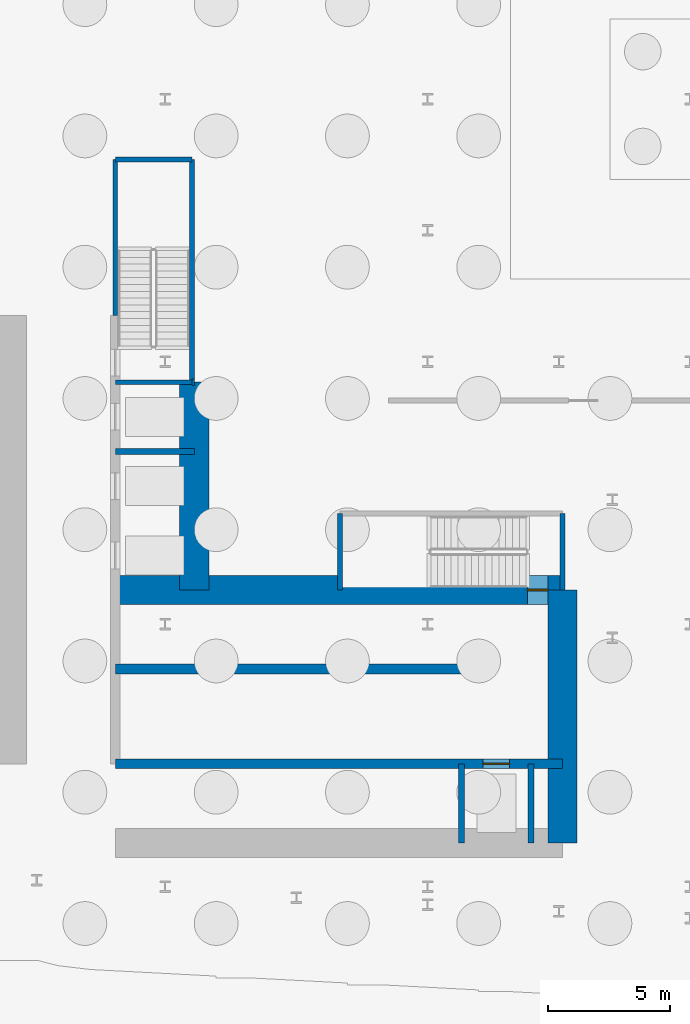
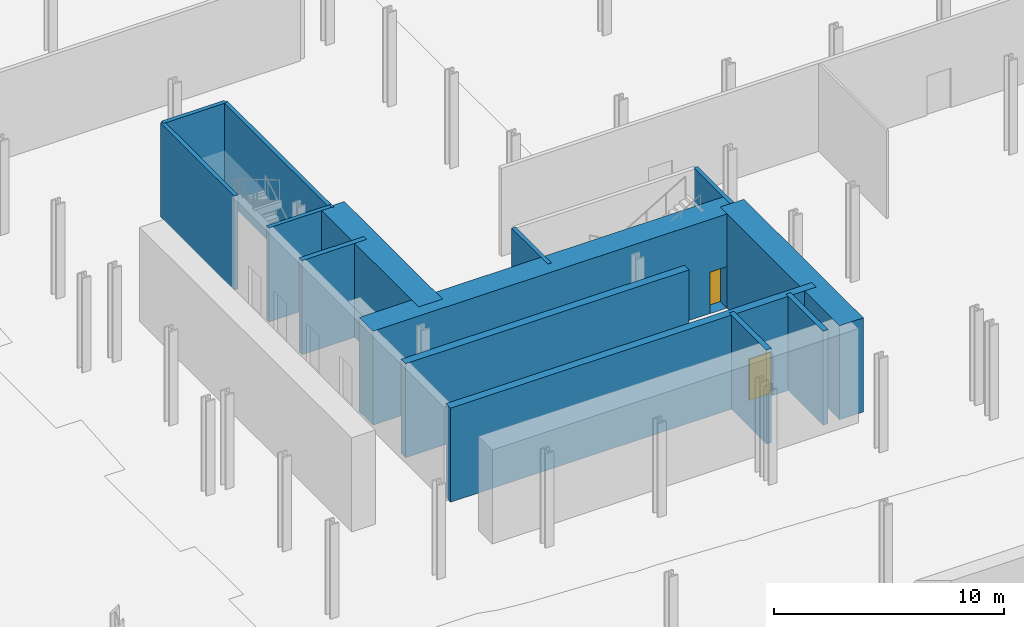
# One storey, part 11 of 23: 15 walls, 2 doors, 2 openings.
"""IFC4 building model written with IfcOpenShell, lengths in metres."""

from ifc_helpers import new_model, si_unit, direction, frame, frame_2d, origin, place, context, subcontext, project, spatial, rectangle, extrude, source, transform, mapped, material, layer, layer_set, type_object, element, fill, save


model = new_model("IFC4")

# Units and contexts
model_context = context("Model", 3, precision=1e-05, world=origin(), true_north=direction((0.0, 1.0)))
body_context = subcontext(model_context, "Body", "Model", "MODEL_VIEW")
ifc_project = project(units=[si_unit("LENGTHUNIT", "METRE"), si_unit("AREAUNIT", "SQUARE_METRE"), si_unit("VOLUMEUNIT", "CUBIC_METRE"), si_unit("PLANEANGLEUNIT", "RADIAN"), si_unit("MASSUNIT", "GRAM", prefix="KILO")], contexts=[model_context])

# Site, building, storey
site_placement = place(None, origin())
site = spatial("IfcSite", under=ifc_project, at=site_placement, CompositionType="ELEMENT")
building_placement = place(site_placement, origin())
building = spatial("IfcBuilding", under=site, at=building_placement, Name="Kheshtan School and Residences Tower", CompositionType="ELEMENT")
storey_placement = place(building_placement, frame((0.0, 0.0, -15.0)))
storey = spatial("IfcBuildingStorey", under=building, at=storey_placement, Name="B3", CompositionType="ELEMENT", Elevation=-15.0)

# Wall, opening, door
ifc_material_1 = material(Name="Concrete C80/95", Category="concrete")
ifc_layer_1 = layer(ifc_material_1, 1.199951171875)
ifc_layer_set_1 = layer_set([ifc_layer_1], Name="Core wall 1200 Concrete C80/95")
wall_type_1 = type_object("IfcWallType", Name="Core wall 1200 Concrete C80/95", PredefinedType="SHEAR", material=ifc_layer_set_1)
wall_1_placement = place(storey_placement, frame((34.75, 36.199951171875, 0.0), z_axis=(0.0, 0.0, 1.0), x_axis=(1.0, 0.0, 0.0)))
wall_1 = element("IfcWall", 1, at=wall_1_placement, inside=storey, type_object=wall_type_1, Name="Core wall CW-FRONT-S", PredefinedType="SHEAR", context=body_context, shape_type="SweptSolid", body=[
    extrude(rectangle(XDim=18.39990234375, YDim=1.199951171875, at=frame_2d((9.199951171875, 0.0))), origin(), (0.0, 0.0, 1.0), 5.0),
])
opening_1_placement = place(wall_1_placement, frame((16.955078125, 0.0, 0.0)))
opening_1 = element("IfcOpeningElement", 2, at=opening_1_placement, cuts=wall_1, Name="Opening ST1B", PredefinedType="OPENING", context=body_context, shape_type="SweptSolid", body=[
    extrude(rectangle(XDim=0.843017578125, YDim=2.199951171875, at=frame_2d((0.42138671875, 1.10009765625))), frame((0.0, 0.60986328125, 0.0), z_axis=(0.0, -1.0, 0.0), x_axis=(1.0, 0.0, 0.0)), (0.0, 0.0, 1.0), 1.219970703125),
])
ifc_material_2 = material(Name="Steel door leaf, galvanised", Category="steel")
door_type_1 = type_object("IfcDoorType", Name="Stair door 1100 steel 90 min", OperationType="SINGLE_SWING_LEFT", PredefinedType="DOOR", material=ifc_material_2)
shared_shape_1 = source(origin(), body_context, "Body", "SweptSolid", [
    extrude(rectangle(XDim=0.843017578125, YDim=2.199951171875, at=frame_2d((0.42138671875, 1.10009765625))), frame((0.0, 0.02490234375, 0.0), z_axis=(0.0, -1.0, 0.0), x_axis=(1.0, 0.0, 0.0)), (0.0, 0.0, 1.0), 0.050048828125),
])
door_1_placement = place(opening_1_placement, origin())
door_1 = element("IfcDoor", 3, at=door_1_placement, inside=storey, type_object=door_type_1, Name="Stair ST1 door", OperationType="SINGLE_SWING_RIGHT", OverallHeight=2.199951171875, OverallWidth=0.843017578125, PredefinedType="DOOR", context=body_context, shape_type="MappedRepresentation", body=[
    mapped(shared_shape_1, transform((0.0, 0.0, 0.0), x_axis=(1.0, 0.0, 0.0), y_axis=(0.0, 1.0, 0.0), z_axis=(0.0, 0.0, 1.0), scale=1.0)),
])
fill(opening_1, door_1)

# Walls
wall_2_placement = place(storey_placement, frame((38.0, 36.199951171875, 0.0), z_axis=(0.0, 0.0, 1.0), x_axis=(0.0, 1.0, 0.0)))
element("IfcWall", 4, at=wall_2_placement, inside=storey, type_object=wall_type_1, Name="Core wall CW-FRONT-W", PredefinedType="SHEAR", context=body_context, shape_type="SweptSolid", body=[
    extrude(rectangle(XDim=8.550048828125, YDim=1.199951171875, at=frame_2d((4.27490234375, 0.0))), origin(), (0.0, 0.0, 1.0), 5.0),
])
wall_3_placement = place(storey_placement, frame((53.14990234375, 25.800048828125, 0.0), z_axis=(0.0, 0.0, 1.0), x_axis=(0.0, 1.0, 0.0)))
element("IfcWall", 5, at=wall_3_placement, inside=storey, type_object=wall_type_1, Name="Core wall CW-EAST", PredefinedType="SHEAR", context=body_context, shape_type="SweptSolid", body=[
    extrude(rectangle(XDim=10.39990234375, YDim=1.199951171875, at=frame_2d((5.199951171875, 0.0))), origin(), (0.0, 0.0, 1.0), 5.0),
])

# Wall, opening, door
ifc_material_3 = material(Name="Concrete C50/60", Category="concrete")
ifc_layer_2 = layer(ifc_material_3, 0.39990234375)
ifc_layer_set_2 = layer_set([ifc_layer_2], Name="Core wall 400 Concrete C50/60")
wall_type_2 = type_object("IfcWallType", Name="Core wall 400 Concrete C50/60", PredefinedType="SHEAR", material=ifc_layer_set_2)
wall_4_placement = place(storey_placement, frame((34.75, 29.050048828125, 0.0), z_axis=(0.0, 0.0, 1.0), x_axis=(1.0, 0.0, 0.0)))
wall_4 = element("IfcWall", 6, at=wall_4_placement, inside=storey, type_object=wall_type_2, Name="Core wall CW-HALL-S1", PredefinedType="SHEAR", context=body_context, shape_type="SweptSolid", body=[
    extrude(rectangle(XDim=18.39990234375, YDim=0.39990234375, at=frame_2d((9.199951171875, 0.0))), origin(), (0.0, 0.0, 1.0), 5.0),
])
opening_2_placement = place(wall_4_placement, frame((15.125, 0.0, 0.0)))
opening_2 = element("IfcOpeningElement", 7, at=opening_2_placement, cuts=wall_4, Name="Opening LD", PredefinedType="OPENING", context=body_context, shape_type="SweptSolid", body=[
    extrude(rectangle(XDim=1.10009765625, YDim=2.199951171875, at=frame_2d((0.550048828125, 1.10009765625))), frame((0.0, 0.2099609375, 0.0), z_axis=(0.0, -1.0, 0.0), x_axis=(1.0, 0.0, 0.0)), (0.0, 0.0, 1.0), 0.419921875),
])
ifc_material_4 = material(Name="Stainless steel door leaves", Category="steel")
door_type_2 = type_object("IfcDoorType", Name="Lift landing door 1100", OperationType="SLIDING_TO_LEFT", PredefinedType="DOOR", material=ifc_material_4)
shared_shape_2 = source(origin(), body_context, "Body", "SweptSolid", [
    extrude(rectangle(XDim=1.10009765625, YDim=2.199951171875, at=frame_2d((0.550048828125, 1.10009765625))), frame((0.0, 0.02490234375, 0.0), z_axis=(0.0, -1.0, 0.0), x_axis=(1.0, 0.0, 0.0)), (0.0, 0.0, 1.0), 0.050048828125),
])
door_2_placement = place(opening_2_placement, origin())
door_2 = element("IfcDoor", 8, at=door_2_placement, inside=storey, type_object=door_type_2, Name="Lift FFL2 landing door", OperationType="SLIDING_TO_LEFT", OverallHeight=2.199951171875, OverallWidth=1.10009765625, PredefinedType="DOOR", context=body_context, shape_type="MappedRepresentation", body=[
    mapped(shared_shape_2, transform((0.0, 0.0, 0.0), x_axis=(1.0, 0.0, 0.0), y_axis=(0.0, 1.0, 0.0), z_axis=(0.0, 0.0, 1.0), scale=1.0)),
])
fill(opening_2, door_2)

# Walls
wall_5_placement = place(storey_placement, frame((34.75, 32.949951171875, 0.0), z_axis=(0.0, 0.0, 1.0), x_axis=(1.0, 0.0, 0.0)))
element("IfcWall", 9, at=wall_5_placement, inside=storey, type_object=wall_type_2, Name="Core wall CW-HALL-S2", PredefinedType="SHEAR", context=body_context, shape_type="SweptSolid", body=[
    extrude(rectangle(XDim=14.25, YDim=0.39990234375, at=frame_2d((7.125, 0.0))), origin(), (0.0, 0.0, 1.0), 5.0),
])
ifc_material_5 = material(Name="Fire-board shaft wall system")
ifc_layer_3 = layer(ifc_material_5, 0.25)
ifc_layer_set_3 = layer_set([ifc_layer_3], Name="Shaft lining wall 250")
wall_type_3 = type_object("IfcWallType", Name="Shaft lining wall 250", PredefinedType="PARTITIONING", material=ifc_layer_set_3)
for number, where, z_axis, x_axis, name in (
    (10, (49.0, 25.800048828125, 0.0), (0.0, 0.0, 1.0), (0.0, 1.0, 0.0), "Shaft lining wall"),
    (11, (51.85009765625, 25.800048828125, 0.0), (0.0, 0.0, 1.0), (0.0, 1.0, 0.0), "Shaft lining wall"),
    (12, (34.75, 41.89990234375, 0.0), (0.0, 0.0, 1.0), (1.0, 0.0, 0.0), "Shaft lining wall"),
):
    element("IfcWall", number, at=place(storey_placement, frame(where, z_axis=z_axis, x_axis=x_axis)), inside=storey, type_object=wall_type_3, Name=name, PredefinedType="PARTITIONING", context=body_context, shape_type="SweptSolid", body=[
        extrude(rectangle(XDim=3.25, YDim=0.25, at=frame_2d((1.625, 0.0))), origin(), (0.0, 0.0, 1.0), 5.0),
    ])
wall_6_placement = place(storey_placement, frame((37.89990234375, 44.75, 0.0), z_axis=(0.0, 0.0, 1.0), x_axis=(1.0, 0.0, 0.0)))
element("IfcWall", 13, at=wall_6_placement, inside=storey, type_object=wall_type_3, Name="Shaft lining wall", PredefinedType="PARTITIONING", context=body_context, shape_type="SweptSolid", body=[
    extrude(rectangle(XDim=0.10009765625, YDim=0.25, at=frame_2d((0.050048828125, 0.0))), origin(), (0.0, 0.0, 1.0), 5.0),
])
ifc_material_6 = material(Name="Concrete C40/50", Category="concrete")
ifc_layer_4 = layer(ifc_material_6, 0.199951171875)
ifc_layer_set_4 = layer_set([ifc_layer_4], Name="Stair enclosure wall 200 Concrete C40/50")
wall_type_4 = type_object("IfcWallType", Name="Stair enclosure wall 200 Concrete C40/50", PredefinedType="SHEAR", material=ifc_layer_set_4)
for number, where, z_axis, x_axis, name in (
    (14, (43.989990234375, 36.199951171875, 0.0), (0.0, 0.0, 1.0), (0.0, 1.0, 0.0), "Stair enclosure wall ST1"),
    (15, (53.14990234375, 36.199951171875, 0.0), (0.0, 0.0, 1.0), (0.0, 1.0, 0.0), "Stair enclosure wall ST1"),
):
    element("IfcWall", number, at=place(storey_placement, frame(where, z_axis=z_axis, x_axis=x_axis)), inside=storey, type_object=wall_type_4, Name=name, PredefinedType="SHEAR", context=body_context, shape_type="SweptSolid", body=[
        extrude(rectangle(XDim=3.150146484375, YDim=0.199951171875, at=frame_2d((1.5751953125, 0.0))), origin(), (0.0, 0.0, 1.0), 5.0),
    ])
for number, where, z_axis, x_axis, name in (
    (16, (34.75, 44.75, 0.0), (0.0, 0.0, 1.0), (1.0, 0.0, 0.0), "Stair enclosure wall ST2"),
    (17, (34.75, 53.909912109375, 0.0), (0.0, 0.0, 1.0), (1.0, 0.0, 0.0), "Stair enclosure wall ST2"),
):
    element("IfcWall", number, at=place(storey_placement, frame(where, z_axis=z_axis, x_axis=x_axis)), inside=storey, type_object=wall_type_4, Name=name, PredefinedType="SHEAR", context=body_context, shape_type="SweptSolid", body=[
        extrude(rectangle(XDim=3.14990234375, YDim=0.199951171875, at=frame_2d((1.574951171875, 0.0))), origin(), (0.0, 0.0, 1.0), 5.0),
    ])
wall_7_placement = place(storey_placement, frame((34.75, 47.5, 0.0), z_axis=(0.0, 0.0, 1.0), x_axis=(0.0, 1.0, 0.0)))
element("IfcWall", 18, at=wall_7_placement, inside=storey, type_object=wall_type_4, Name="Stair enclosure wall ST2", PredefinedType="SHEAR", context=body_context, shape_type="SweptSolid", body=[
    extrude(rectangle(XDim=6.409912109375, YDim=0.199951171875, at=frame_2d((3.205078125, 0.0))), origin(), (0.0, 0.0, 1.0), 5.0),
])
wall_8_placement = place(storey_placement, frame((37.89990234375, 44.75, 0.0), z_axis=(0.0, 0.0, 1.0), x_axis=(0.0, 1.0, 0.0)))
element("IfcWall", 19, at=wall_8_placement, inside=storey, type_object=wall_type_4, Name="Stair enclosure wall ST2", PredefinedType="SHEAR", context=body_context, shape_type="SweptSolid", body=[
    extrude(rectangle(XDim=9.159912109375, YDim=0.199951171875, at=frame_2d((4.580078125, 0.0))), origin(), (0.0, 0.0, 1.0), 5.0),
])

save(model, "model.ifc")
